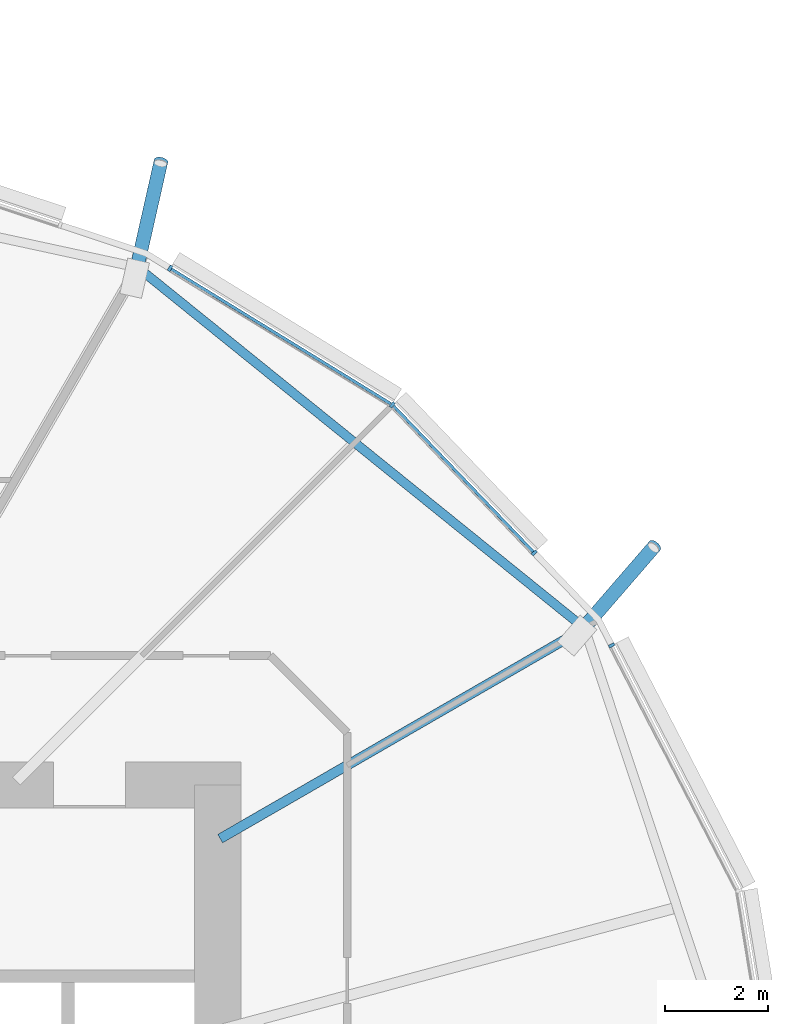
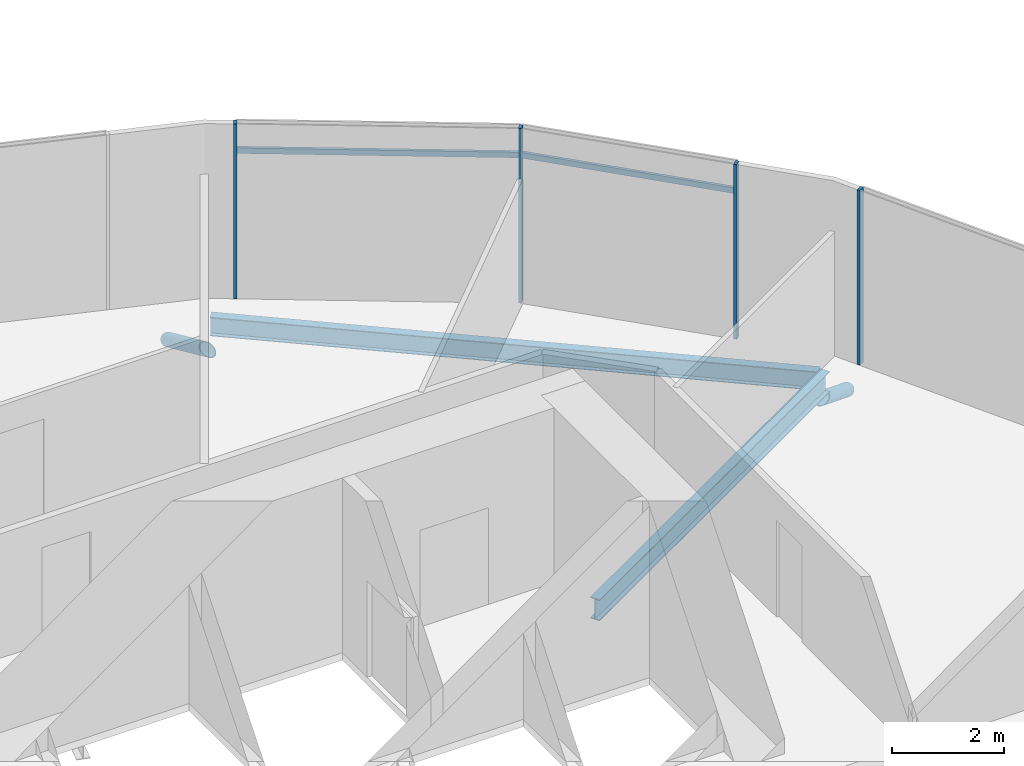
# One storey, part 11 of 38: 8 members, 2 beams, 1 element without a shape of its own.
"""IFC4 building model written with IfcOpenShell, lengths in metres."""

from ifc_helpers import new_model, si_unit, direction, frame, origin, origin_2d, place, context, subcontext, project, spatial, rectangle, hollow_circle, i_section, extrude, clip, halfspace, material, material_profile, profile_set, type_object, element, aggregate, save


model = new_model("IFC4")

# Units and contexts
model_context = context("Model", 3, precision=1e-05, world=origin(), true_north=direction((0.0, 1.0)))
body_context = subcontext(model_context, "Body", "Model", "MODEL_VIEW")
ifc_project = project(units=[si_unit("LENGTHUNIT", "METRE"), si_unit("AREAUNIT", "SQUARE_METRE"), si_unit("VOLUMEUNIT", "CUBIC_METRE"), si_unit("PLANEANGLEUNIT", "RADIAN"), si_unit("MASSUNIT", "GRAM", prefix="KILO")], contexts=[model_context])

# Site, building, storey
site_placement = place(None, origin())
site = spatial("IfcSite", under=ifc_project, at=site_placement, CompositionType="ELEMENT")
building_placement = place(site_placement, origin())
building = spatial("IfcBuilding", under=site, at=building_placement, Name="Rimbun Link Towers", CompositionType="ELEMENT")
storey_placement = place(building_placement, frame((0.0, 0.0, 56.60009765625)))
storey = spatial("IfcBuildingStorey", under=building, at=storey_placement, Name="L13", CompositionType="ELEMENT", Elevation=56.60009765625)

# Curtain wall, members
ifc_material_1 = material(Name="Aluminium 6063-T6 and low-iron glass", Category="aluminium")
curtain_wall_type = type_object("IfcCurtainWallType", Name="CW1 unitised vision wall", PredefinedType="NOTDEFINED", material=ifc_material_1)
curtain_wall_placement = place(storey_placement, origin())
curtain_wall = element("IfcCurtainWall", 1, at=curtain_wall_placement, inside=storey, type_object=curtain_wall_type, Name="CW1 L13 T1", PredefinedType="NOTDEFINED")
ifc_material_2 = material(Name="Aluminium 6063-T6", Category="aluminium")
ifc_material_profile_1 = material_profile(ifc_material_2, rectangle(XDim=0.1201171875, YDim=0.06005859375, at=origin_2d()), Name="MULLION 60X120")
ifc_profile_set_1 = profile_set([ifc_material_profile_1], Name="Aluminium 6063-T6")
member_type_1 = type_object("IfcMemberType", Name="CW1 mullion 60X120", PredefinedType="MULLION", material=ifc_profile_set_1)
member_1_placement = place(storey_placement, frame((-12.070556640625, 10.724365234375, 0.0), z_axis=(0.0, 0.0, 1.0), x_axis=(0.888156623203, 0.459540871589, 0.0)))
member_1 = element("IfcMember", 2, at=member_1_placement, type_object=member_type_1, Name="CW1 mullion", PredefinedType="MULLION", context=body_context, shape_type="SweptSolid", body=[
    extrude(rectangle(XDim=0.1201171875, YDim=0.06005859375, at=origin_2d()), origin(), (0.0, 0.0, 1.0), 3.7998046875),
])
member_2_placement = place(storey_placement, frame((-16.3466796875, 15.412353515625, 0.0), z_axis=(0.0, 0.0, 1.0), x_axis=(0.627665729285, 0.778482968524, 0.0)))
member_2 = element("IfcMember", 3, at=member_2_placement, type_object=member_type_1, Name="CW1 mullion", PredefinedType="MULLION", context=body_context, shape_type="SweptSolid", body=[
    extrude(rectangle(XDim=0.1201171875, YDim=0.06005859375, at=origin_2d()), origin(), (0.0, 0.0, 1.0), 3.7998046875),
])
member_3_placement = place(storey_placement, frame((-13.578857421875, 12.526123046875, 0.0), z_axis=(0.0, 0.0, 1.0), x_axis=(0.721834717261, 0.692065488922, 0.0)))
member_3 = element("IfcMember", 4, at=member_3_placement, type_object=member_type_1, Name="CW1 mullion", PredefinedType="MULLION", context=body_context, shape_type="SweptSolid", body=[
    extrude(rectangle(XDim=0.1201171875, YDim=0.06005859375, at=origin_2d()), origin(), (0.0, 0.0, 1.0), 3.7998046875),
])
member_4_placement = place(storey_placement, frame((-20.678955078125, 18.07275390625, 0.0), z_axis=(0.0, 0.0, 1.0), x_axis=(0.523243332621, 0.852183322336, 0.0)))
member_4 = element("IfcMember", 5, at=member_4_placement, type_object=member_type_1, Name="CW1 mullion", PredefinedType="MULLION", context=body_context, shape_type="SweptSolid", body=[
    extrude(rectangle(XDim=0.1201171875, YDim=0.06005859375, at=origin_2d()), origin(), (0.0, 0.0, 1.0), 3.7998046875),
])
ifc_material_3 = material(Name="Aluminium 6063-T6", Category="aluminium")
ifc_material_profile_2 = material_profile(ifc_material_3, rectangle(XDim=0.06005859375, YDim=0.1201171875, at=origin_2d()), Name="TRANSOM 60X120")
ifc_profile_set_2 = profile_set([ifc_material_profile_2], Name="Aluminium 6063-T6")
member_type_2 = type_object("IfcMemberType", Name="CW1 transom 60X120", PredefinedType="USERDEFINED", material=ifc_profile_set_2)
member_5_placement = place(storey_placement, frame((-16.32177734375, 15.384033203125, 3.199951171875), z_axis=(0.692076647079, -0.721824019113, 0.0), x_axis=(0.721824019113, 0.692076647079, 0.0)))
member_5 = element("IfcMember", 6, at=member_5_placement, type_object=member_type_2, Name="CW1 transom", ObjectType="TRANSOM", PredefinedType="USERDEFINED", context=body_context, shape_type="SweptSolid", body=[
    extrude(rectangle(XDim=0.06005859375, YDim=0.1201171875, at=origin_2d()), origin(), (0.0, 0.0, 1.0), 3.93115234375),
])
member_6_placement = place(storey_placement, frame((-20.654296875, 18.055419921875, 3.199951171875), z_axis=(0.852174271699, -0.523258072708, 0.0), x_axis=(0.523258072708, 0.852174271699, 0.0)))
member_6 = element("IfcMember", 7, at=member_6_placement, type_object=member_type_2, Name="CW1 transom", ObjectType="TRANSOM", PredefinedType="USERDEFINED", context=body_context, shape_type="SweptSolid", body=[
    extrude(rectangle(XDim=0.06005859375, YDim=0.1201171875, at=origin_2d()), origin(), (0.0, 0.0, 1.0), 5.01611328125),
])
aggregate(curtain_wall, [member_1, member_2, member_3, member_4, member_5, member_6])

# Members
ifc_material_4 = material(Name="Steel S355J2H", Category="steel")
ifc_material_profile_3 = material_profile(ifc_material_4, hollow_circle(Radius=0.136474609375, WallThickness=0.012451171875, at=origin_2d()), Name="CHS 273x12.5")
ifc_profile_set_3 = profile_set([ifc_material_profile_3], Name="Steel S355J2H")
member_type_3 = type_object("IfcMemberType", Name="Floor edge link CHS 273x12.5", PredefinedType="BRACE", material=ifc_profile_set_3)
member_7_placement = place(storey_placement, frame((-12.642578125, 11.031494140625, -0.729736328125), z_axis=(0.558796695114, 0.645825569844, -0.520245698555), x_axis=(-0.756221299742, 0.654315937309, 0.0)))
element("IfcMember", 8, at=member_7_placement, inside=storey, type_object=member_type_3, Name="Floor edge link T1 L13 02", PredefinedType="BRACE", context=body_context, shape_type="Clipping", body=[
    clip(extrude(hollow_circle(Radius=0.136474609375, WallThickness=0.012451171875, at=origin_2d()), frame((0.0, 0.0, -0.46728515625)), (0.0, 0.0, 1.0), 3.00048828125), halfspace(frame((0.0, 0.0, -0.219482421875), z_axis=(0.0, 0.854016635163, -0.520245698555)), False)),
])
member_8_placement = place(storey_placement, frame((-21.33154296875, 18.045166015625, -0.880615234375), z_axis=(0.190487395682, 0.845129727421, -0.499470015032), x_axis=(-0.975527318189, 0.21987826511, 0.0)))
element("IfcMember", 9, at=member_8_placement, inside=storey, type_object=member_type_3, Name="Floor edge link T1 L13 04", PredefinedType="BRACE", context=body_context, shape_type="Clipping", body=[
    clip(extrude(hollow_circle(Radius=0.136474609375, WallThickness=0.012451171875, at=origin_2d()), frame((0.0, 0.0, -0.493408203125)), (0.0, 0.0, 1.0), 3.0029296875), halfspace(frame((0.0, 0.0, -0.232177734375), z_axis=(0.0, 0.8663311746, -0.499470015032)), False)),
])

# Beams
ifc_material_5 = material(Name="Steel S355J2", Category="steel")
ifc_material_profile_4 = material_profile(ifc_material_5, i_section(OverallWidth=0.177978515625, OverallDepth=0.406494140625, WebThickness=0.0078125, FlangeThickness=0.0126953125, at=origin_2d()), Name="UB 406x178x60")
ifc_profile_set_4 = profile_set([ifc_material_profile_4], Name="Steel S355J2")
beam_type_1 = type_object("IfcBeamType", Name="UB 406x178x60", PredefinedType="BEAM", material=ifc_profile_set_4)
beam_1_placement = place(storey_placement, frame((-12.679443359375, 11.12109375, -0.36328125), z_axis=(-0.77798007957, 0.628288942917, 0.0), x_axis=(-0.628288942917, -0.77798007957, 0.0)))
element("IfcBeam", 10, at=beam_1_placement, inside=storey, type_object=beam_type_1, Name="Edge beam T1 L13 02-04", PredefinedType="BEAM", context=body_context, shape_type="SweptSolid", body=[
    extrude(i_section(OverallWidth=0.177978515625, OverallDepth=0.406494140625, WebThickness=0.0078125, FlangeThickness=0.0126953125, at=origin_2d()), origin(), (0.0, 0.0, 1.0), 10.97314453125),
])
ifc_material_6 = material(Name="Steel S355J2", Category="steel")
ifc_material_profile_5 = material_profile(ifc_material_6, i_section(OverallWidth=0.18994140625, OverallDepth=0.453369140625, WebThickness=0.008544921875, FlangeThickness=0.0126953125, at=origin_2d()), Name="UB 457x191x67")
ifc_profile_set_5 = profile_set([ifc_material_profile_5], Name="Steel S355J2")
beam_type_2 = type_object("IfcBeamType", Name="UB 457x191x67", PredefinedType="BEAM", material=ifc_profile_set_5)
beam_2_placement = place(storey_placement, frame((-19.70166015625, 6.9560546875, -0.38671875), z_axis=(0.866021493816, 0.500006772202, 0.0), x_axis=(-0.500006772202, 0.866021493816, 0.0)))
element("IfcBeam", 11, at=beam_2_placement, inside=storey, type_object=beam_type_2, Name="Radial beam T1 L13 02", PredefinedType="BEAM", context=body_context, shape_type="SweptSolid", body=[
    extrude(i_section(OverallWidth=0.18994140625, OverallDepth=0.453369140625, WebThickness=0.008544921875, FlangeThickness=0.0126953125, at=origin_2d()), origin(), (0.0, 0.0, 1.0), 8.201171875),
])

save(model, "model.ifc")
